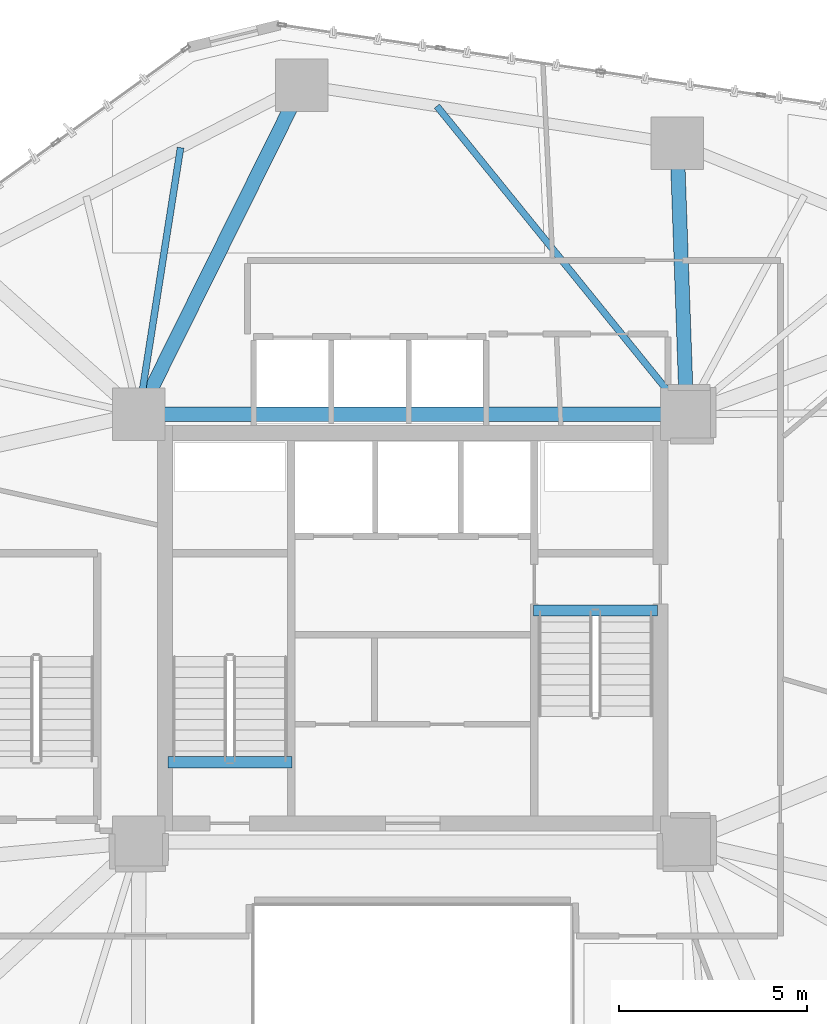
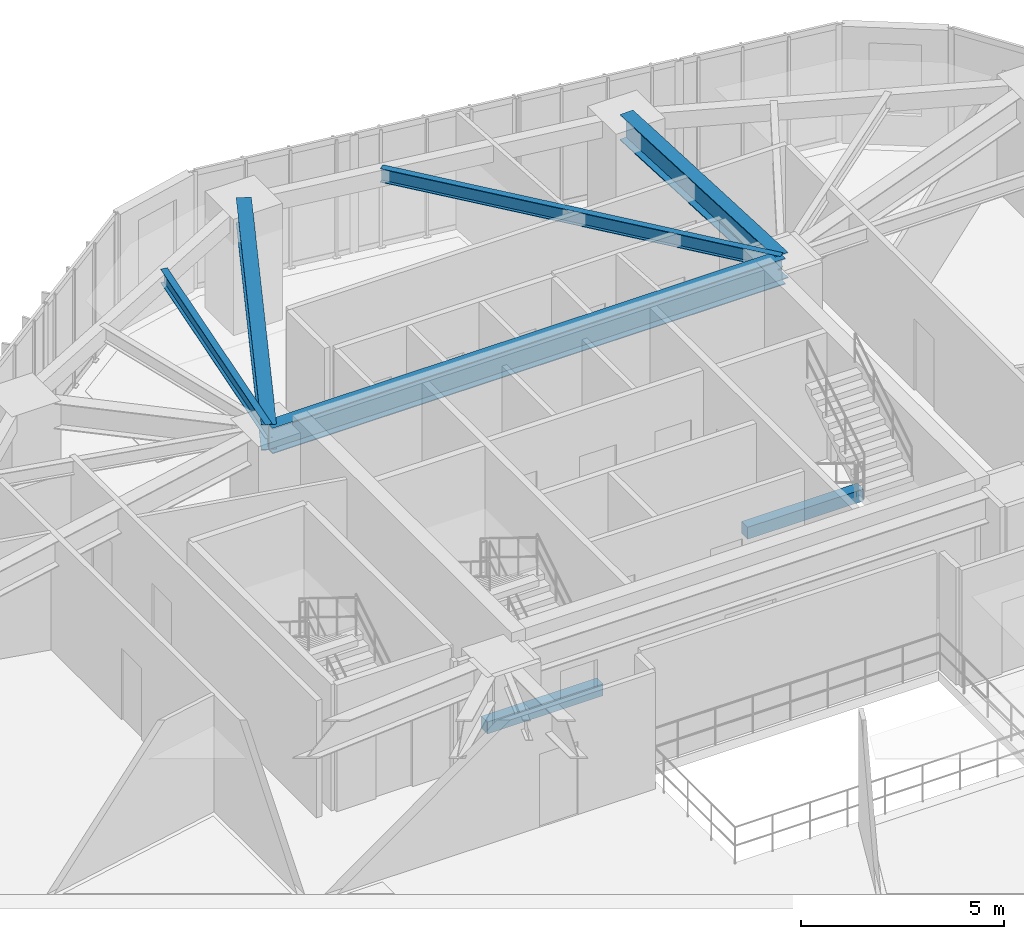
# One storey, part 8 of 22: 7 beams.
"""IFC4 building model written with IfcOpenShell, lengths in metres."""

from ifc_helpers import new_model, si_unit, direction, frame, origin, origin_2d, place, context, subcontext, project, spatial, rectangle, i_section, extrude, material, material_profile, profile_set, type_object, element, save


model = new_model("IFC4")

# Units and contexts
model_context = context("Model", 3, precision=1e-05, world=origin(), true_north=direction((0.0, 1.0)))
body_context = subcontext(model_context, "Body", "Model", "MODEL_VIEW")
ifc_project = project(units=[si_unit("LENGTHUNIT", "METRE"), si_unit("AREAUNIT", "SQUARE_METRE"), si_unit("VOLUMEUNIT", "CUBIC_METRE"), si_unit("PLANEANGLEUNIT", "RADIAN"), si_unit("MASSUNIT", "GRAM", prefix="KILO")], contexts=[model_context])

# Site, building, storey
site_placement = place(None, origin())
site = spatial("IfcSite", under=ifc_project, at=site_placement, CompositionType="ELEMENT")
building_placement = place(site_placement, origin())
building = spatial("IfcBuilding", under=site, at=building_placement, Name="Talar Marvaseh", CompositionType="ELEMENT")
storey_placement = place(building_placement, frame((0.0, 0.0, 65.800048828125)))
storey = spatial("IfcBuildingStorey", under=building, at=storey_placement, Name="L16", CompositionType="ELEMENT", Elevation=65.800048828125)

# Beams
ifc_material_1 = material(Name="Concrete C40/50", Category="concrete")
ifc_material_profile_1 = material_profile(ifc_material_1, rectangle(XDim=0.300048828125, YDim=0.360107421875, at=origin_2d()), Name="RC300x360")
ifc_profile_set_1 = profile_set([ifc_material_profile_1], Name="Concrete C40/50")
beam_type_1 = type_object("IfcBeamType", Name="Concrete Stair Landing Trimmer Beam RC300x360", PredefinedType="SPANDREL", material=ifc_profile_set_1)
for number, where, z_axis, x_axis, name in (
    (1, (22.780029296875, 27.6298828125, -0.179931640625), (-1.0, 0.0, 0.0), (0.0, -1.0, 0.0), "L16 ST-1 Stair Nosing Trimmer Beam"),
    (2, (29.219970703125, 31.669921875, -0.179931640625), (1.0, 0.0, 0.0), (0.0, 1.0, 0.0), "L16 ST-2 Stair Nosing Trimmer Beam"),
):
    element("IfcBeam", number, at=place(storey_placement, frame(where, z_axis=z_axis, x_axis=x_axis)), inside=storey, type_object=beam_type_1, Name=name, PredefinedType="SPANDREL", context=body_context, shape_type="SweptSolid", body=[
        extrude(rectangle(XDim=0.300048828125, YDim=0.360107421875, at=origin_2d()), origin(), (0.0, 0.0, 1.0), 3.300048828125),
    ])
ifc_material_2 = material(Name="Steel S355", Category="steel")
ifc_material_profile_2 = material_profile(ifc_material_2, i_section(OverallWidth=0.381103515625, OverallDepth=0.77294921875, WebThickness=0.0166015625, FlangeThickness=0.027099609375, at=origin_2d()), Name="W760x257")
ifc_profile_set_2 = profile_set([ifc_material_profile_2], Name="Steel S355")
beam_type_2 = type_object("IfcBeamType", Name="Zone 1 Radial Floor Girder W760x257", PredefinedType="BEAM", material=ifc_profile_set_2)
beam_1_placement = place(storey_placement, frame((18.699951171875, 36.89990234375, 3.133544921875), z_axis=(1.0, 0.0, 0.0), x_axis=(0.0, 1.0, 0.0)))
element("IfcBeam", 3, at=beam_1_placement, inside=storey, type_object=beam_type_2, Name="L16 Zone 1 Radial Floor Girder W760x257", PredefinedType="BEAM", context=body_context, shape_type="SweptSolid", body=[
    extrude(i_section(OverallWidth=0.381103515625, OverallDepth=0.77294921875, WebThickness=0.0166015625, FlangeThickness=0.027099609375, at=origin_2d()), origin(), (0.0, 0.0, 1.0), 14.60009765625),
])
beam_2_placement = place(storey_placement, frame((23.047119140625, 45.6669921875, 3.133544921875), z_axis=(-0.444237233911, -0.895909191831, 0.0), x_axis=(0.895909191831, -0.444237233911, 0.0)))
element("IfcBeam", 4, at=beam_2_placement, inside=storey, type_object=beam_type_2, Name="L16 Zone 1 Radial Floor Girder W760x257", PredefinedType="BEAM", context=body_context, shape_type="SweptSolid", body=[
    extrude(i_section(OverallWidth=0.381103515625, OverallDepth=0.77294921875, WebThickness=0.0166015625, FlangeThickness=0.027099609375, at=origin_2d()), origin(), (0.0, 0.0, 1.0), 9.78564453125),
])
beam_3_placement = place(storey_placement, frame((33.0458984375, 44.117919921875, 3.133544921875), z_axis=(0.03518874657, -0.999380684281, 0.0), x_axis=(0.999380684281, 0.03518874657, 0.0)))
element("IfcBeam", 5, at=beam_3_placement, inside=storey, type_object=beam_type_2, Name="L16 Zone 1 Radial Floor Girder W760x257", PredefinedType="BEAM", context=body_context, shape_type="SweptSolid", body=[
    extrude(i_section(OverallWidth=0.381103515625, OverallDepth=0.77294921875, WebThickness=0.0166015625, FlangeThickness=0.027099609375, at=origin_2d()), origin(), (0.0, 0.0, 1.0), 7.222412109375),
])
ifc_material_profile_3 = material_profile(ifc_material_2, i_section(OverallWidth=0.179931640625, OverallDepth=0.4130859375, WebThickness=0.009765625, FlangeThickness=0.01611328125, at=origin_2d()), Name="W410x75")
ifc_profile_set_3 = profile_set([ifc_material_profile_3], Name="Steel S355")
beam_type_3 = type_object("IfcBeamType", Name="Zone 1 Secondary Floor Joist W410x75", PredefinedType="JOIST", material=ifc_profile_set_3)
beam_4_placement = place(storey_placement, frame((19.81494140625, 44.00244140625, 3.3134765625), z_axis=(-0.15508539052, -0.987901068755, 0.0), x_axis=(0.987901068755, -0.15508539052, 0.0)))
element("IfcBeam", 6, at=beam_4_placement, inside=storey, type_object=beam_type_3, Name="L16 Zone 1 Secondary Floor Joist W410x75", PredefinedType="JOIST", context=body_context, shape_type="SweptSolid", body=[
    extrude(i_section(OverallWidth=0.179931640625, OverallDepth=0.4130859375, WebThickness=0.009765625, FlangeThickness=0.01611328125, at=origin_2d()), origin(), (0.0, 0.0, 1.0), 7.189453125),
])
beam_5_placement = place(storey_placement, frame((26.646484375, 45.109375, 3.3134765625), z_axis=(0.629644089062, -0.776883724317, 0.0), x_axis=(0.776883724317, 0.629644089062, 0.0)))
element("IfcBeam", 7, at=beam_5_placement, inside=storey, type_object=beam_type_3, Name="L16 Zone 1 Secondary Floor Joist W410x75", PredefinedType="JOIST", context=body_context, shape_type="SweptSolid", body=[
    extrude(i_section(OverallWidth=0.179931640625, OverallDepth=0.4130859375, WebThickness=0.009765625, FlangeThickness=0.01611328125, at=origin_2d()), origin(), (0.0, 0.0, 1.0), 10.567138671875),
])

save(model, "model.ifc")
